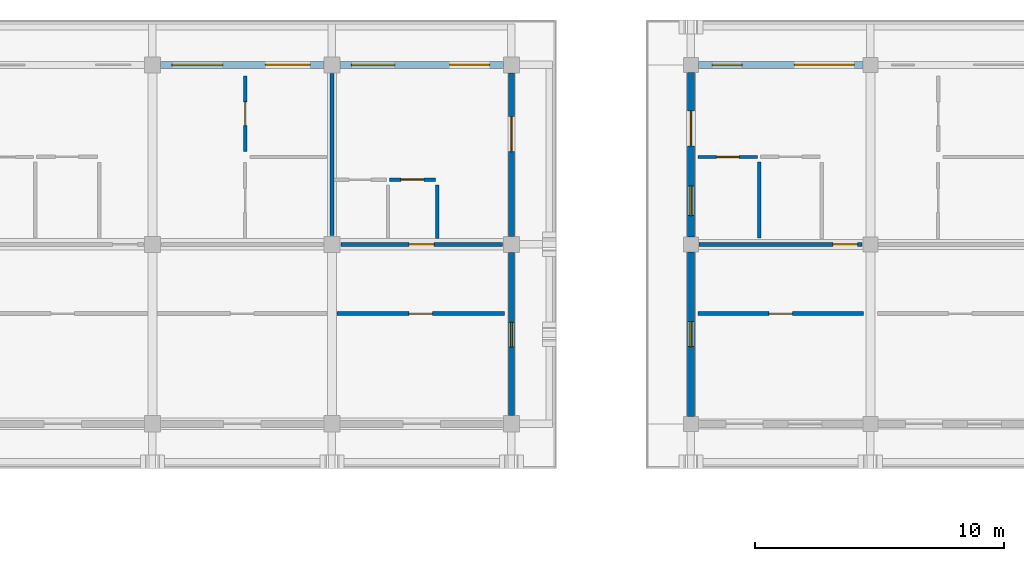
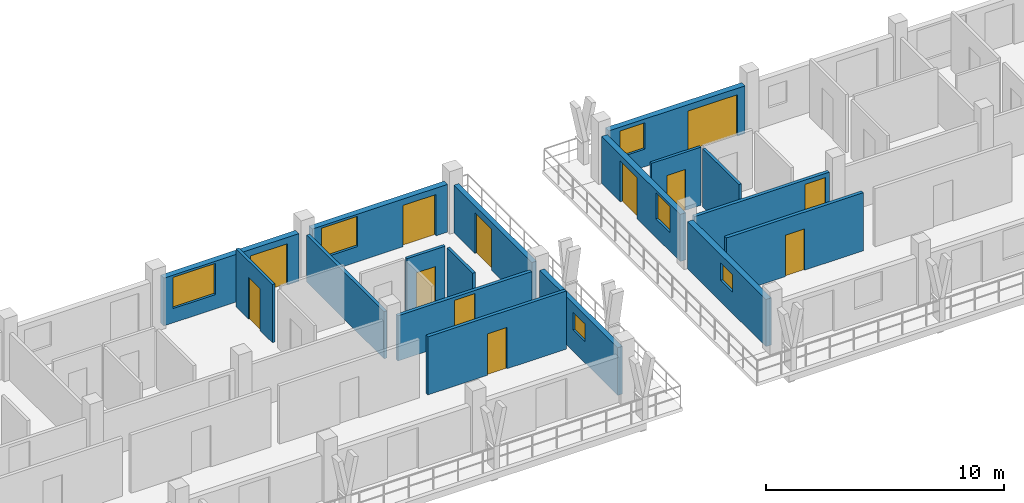
# One storey, part 50 of 76: 17 walls, 12 doors, 6 windows, 18 openings.
"""IFC4 building model written with IfcOpenShell, lengths in metres."""

from ifc_helpers import new_model, si_unit, direction, frame, frame_2d, origin, place, context, subcontext, project, spatial, rectangle, extrude, material, layer, layer_set, type_object, element, fill, save


model = new_model("IFC4")

# Units and contexts
model_context = context("Model", 3, precision=1e-05, world=origin(), true_north=direction((0.0, 1.0)))
body_context = subcontext(model_context, "Body", "Model", "MODEL_VIEW")
ifc_project = project(units=[si_unit("LENGTHUNIT", "METRE"), si_unit("AREAUNIT", "SQUARE_METRE"), si_unit("VOLUMEUNIT", "CUBIC_METRE"), si_unit("PLANEANGLEUNIT", "RADIAN"), si_unit("MASSUNIT", "GRAM", prefix="KILO")], contexts=[model_context])

# Site, building, storey
site_placement = place(None, origin())
site = spatial("IfcSite", under=ifc_project, at=site_placement, CompositionType="ELEMENT")
building_placement = place(site_placement, origin())
building = spatial("IfcBuilding", under=site, at=building_placement, Name="Suanplinth Sawtooth Commons", CompositionType="ELEMENT")
storey_placement = place(building_placement, frame((0.0, 0.0, 12.199951171875)))
storey = spatial("IfcBuildingStorey", under=building, at=storey_placement, Name="L03", CompositionType="ELEMENT", Elevation=12.199951171875)

# Wall, openings, door, window
ifc_material_1 = material(Name="Precast concrete C40/50", Category="concrete")
ifc_layer_1 = layer(ifc_material_1, 0.280029296875, Name="Insulated precast architectural facade wall 280mm")
ifc_layer_set_1 = layer_set([ifc_layer_1], Name="Precast concrete C40/50")
wall_type_1 = type_object("IfcWallType", Name="W-EX01", PredefinedType="ELEMENTEDWALL", material=ifc_layer_set_1)
wall_1_placement = place(storey_placement, frame((101.125, 122.39990234375, 0.0), z_axis=(0.0, 0.0, 1.0), x_axis=(1.0, 0.0, 0.0)))
wall_1 = element("IfcWall", 1, at=wall_1_placement, inside=storey, type_object=wall_type_1, Name="Facade Wall W-L03-A-N-14", PredefinedType="ELEMENTEDWALL", context=body_context, shape_type="SweptSolid", body=[
    extrude(rectangle(XDim=6.550048828125, YDim=0.280029296875, at=frame_2d((3.27490234375, 0.0))), origin(), (0.0, 0.0, 1.0), 2.445068359375),
])
opening_1_placement = place(wall_1_placement, frame((4.199951171875, 0.0, 0.0)))
opening_1 = element("IfcOpeningElement", 2, at=opening_1_placement, cuts=wall_1, Name="Opening ED0239", PredefinedType="OPENING", context=body_context, shape_type="SweptSolid", body=[
    extrude(rectangle(XDim=1.800048828125, YDim=2.1201171875, at=frame_2d((0.89990234375, 1.06005859375))), frame((0.0, 0.15478515625, 0.0), z_axis=(0.0, -1.0, 0.0), x_axis=(1.0, 0.0, 0.0)), (0.0, 0.0, 1.0), 0.309814453125),
])
opening_2_placement = place(wall_1_placement, frame((0.449951171875, 0.0, 0.735107421875)))
opening_2 = element("IfcOpeningElement", 3, at=opening_2_placement, cuts=wall_1, Name="Opening W0346", PredefinedType="OPENING", context=body_context, shape_type="SweptSolid", body=[
    extrude(rectangle(XDim=2.050048828125, YDim=1.60009765625, at=frame_2d((1.02490234375, 0.800048828125))), frame((0.0, 0.15478515625, 0.0), z_axis=(0.0, -1.0, 0.0), x_axis=(1.0, 0.0, 0.0)), (0.0, 0.0, 1.0), 0.309814453125),
])
ifc_material_2 = material(Name="Anodized aluminium and low-E glass", Category="aluminium")
door_type_1 = type_object("IfcDoorType", Name="SD-01", OperationType="SLIDING_TO_LEFT", PredefinedType="DOOR", material=ifc_material_2)
door_1_placement = place(opening_1_placement, frame((1.800048828125, 0.0, 0.0), z_axis=(0.0, 0.0, 1.0), x_axis=(-1.0, 0.0, 0.0)))
door_1 = element("IfcDoor", 4, at=door_1_placement, inside=storey, type_object=door_type_1, Name="Balcony Sliding Door L03-A-N-14", OperationType="SLIDING_TO_LEFT", OverallHeight=2.1201171875, OverallWidth=1.800048828125, PredefinedType="DOOR", context=body_context, shape_type="SweptSolid", body=[
    extrude(rectangle(XDim=1.800048828125, YDim=2.1201171875, at=frame_2d((0.89990234375, 1.06005859375))), frame((0.0, 0.02490234375, 0.0), z_axis=(0.0, -1.0, 0.0), x_axis=(1.0, 0.0, 0.0)), (0.0, 0.0, 1.0), 0.050048828125),
])
fill(opening_1, door_1)
ifc_material_3 = material(Name="Thermally broken aluminium and low-E double glazing", Category="aluminium")
window_type_1 = type_object("IfcWindowType", Name="WN-25", PartitioningType="DOUBLE_PANEL_VERTICAL", PredefinedType="WINDOW", material=ifc_material_3)
window_1_placement = place(opening_2_placement, origin())
window_1 = element("IfcWindow", 5, at=window_1_placement, inside=storey, type_object=window_type_1, Name="Window L03-A-N-14", OverallHeight=1.60009765625, OverallWidth=2.050048828125, PartitioningType="DOUBLE_PANEL_VERTICAL", PredefinedType="WINDOW", context=body_context, shape_type="SweptSolid", body=[
    extrude(rectangle(XDim=2.050048828125, YDim=1.60009765625, at=frame_2d((1.02490234375, 0.800048828125))), frame((0.0, 0.030029296875, 0.0), z_axis=(0.0, -1.0, 0.0), x_axis=(1.0, 0.0, 0.0)), (0.0, 0.0, 1.0), 0.06005859375),
])
fill(opening_2, window_1)

wall_2_placement = place(storey_placement, frame((108.324951171875, 122.39990234375, 0.0), z_axis=(0.0, 0.0, 1.0), x_axis=(1.0, 0.0, 0.0)))
wall_2 = element("IfcWall", 6, at=wall_2_placement, inside=storey, type_object=wall_type_1, Name="Facade Wall W-L03-A-N-15", PredefinedType="ELEMENTEDWALL", context=body_context, shape_type="SweptSolid", body=[
    extrude(rectangle(XDim=6.550048828125, YDim=0.280029296875, at=frame_2d((3.27490234375, 0.0))), origin(), (0.0, 0.0, 1.0), 2.445068359375),
])
opening_3_placement = place(wall_2_placement, frame((4.39990234375, 0.0, 0.0)))
opening_3 = element("IfcOpeningElement", 7, at=opening_3_placement, cuts=wall_2, Name="Opening ED0241", PredefinedType="OPENING", context=body_context, shape_type="SweptSolid", body=[
    extrude(rectangle(XDim=1.60009765625, YDim=2.1201171875, at=frame_2d((0.800048828125, 1.06005859375))), frame((0.0, 0.15478515625, 0.0), z_axis=(0.0, -1.0, 0.0), x_axis=(1.0, 0.0, 0.0)), (0.0, 0.0, 1.0), 0.309814453125),
])
opening_4_placement = place(wall_2_placement, frame((0.449951171875, 0.0, 0.784912109375)))
opening_4 = element("IfcOpeningElement", 8, at=opening_4_placement, cuts=wall_2, Name="Opening W0347", PredefinedType="OPENING", context=body_context, shape_type="SweptSolid", body=[
    extrude(rectangle(XDim=1.75, YDim=1.550048828125, at=frame_2d((0.875, 0.77490234375))), frame((0.0, 0.15478515625, 0.0), z_axis=(0.0, -1.0, 0.0), x_axis=(1.0, 0.0, 0.0)), (0.0, 0.0, 1.0), 0.309814453125),
])
door_type_2 = type_object("IfcDoorType", Name="SD-02", OperationType="SLIDING_TO_RIGHT", PredefinedType="DOOR", material=ifc_material_2)
door_2_placement = place(opening_3_placement, frame((1.60009765625, 0.0, 0.0), z_axis=(0.0, 0.0, 1.0), x_axis=(-1.0, 0.0, 0.0)))
door_2 = element("IfcDoor", 9, at=door_2_placement, inside=storey, type_object=door_type_2, Name="Balcony Sliding Door L03-A-N-15", OperationType="SLIDING_TO_RIGHT", OverallHeight=2.1201171875, OverallWidth=1.60009765625, PredefinedType="DOOR", context=body_context, shape_type="SweptSolid", body=[
    extrude(rectangle(XDim=1.60009765625, YDim=2.1201171875, at=frame_2d((0.800048828125, 1.06005859375))), frame((0.0, 0.02490234375, 0.0), z_axis=(0.0, -1.0, 0.0), x_axis=(1.0, 0.0, 0.0)), (0.0, 0.0, 1.0), 0.050048828125),
])
fill(opening_3, door_2)
window_type_2 = type_object("IfcWindowType", Name="WN-26", PartitioningType="DOUBLE_PANEL_VERTICAL", PredefinedType="WINDOW", material=ifc_material_3)
window_2_placement = place(opening_4_placement, origin())
window_2 = element("IfcWindow", 10, at=window_2_placement, inside=storey, type_object=window_type_2, Name="Window L03-A-N-15", OverallHeight=1.550048828125, OverallWidth=1.75, PartitioningType="DOUBLE_PANEL_VERTICAL", PredefinedType="WINDOW", context=body_context, shape_type="SweptSolid", body=[
    extrude(rectangle(XDim=1.75, YDim=1.550048828125, at=frame_2d((0.875, 0.77490234375))), frame((0.0, 0.030029296875, 0.0), z_axis=(0.0, -1.0, 0.0), x_axis=(1.0, 0.0, 0.0)), (0.0, 0.0, 1.0), 0.06005859375),
])
fill(opening_4, window_2)

# Wall, opening, window
wall_3_placement = place(storey_placement, frame((122.39990234375, 108.300048828125, 0.0), z_axis=(0.0, 0.0, 1.0), x_axis=(0.0, 1.0, 0.0)))
wall_3 = element("IfcWall", 11, at=wall_3_placement, inside=storey, type_object=wall_type_1, Name="Facade Wall W-L03-B-W-17-15", PredefinedType="ELEMENTEDWALL", context=body_context, shape_type="SweptSolid", body=[
    extrude(rectangle(XDim=6.599853515625, YDim=0.280029296875, at=frame_2d((3.2998046875, 0.0))), origin(), (0.0, 0.0, 1.0), 2.4150390625),
])
opening_5_placement = place(wall_3_placement, frame((2.800048828125, 0.0, 1.10009765625)))
opening_5 = element("IfcOpeningElement", 12, at=opening_5_placement, cuts=wall_3, Name="Opening W0351", PredefinedType="OPENING", context=body_context, shape_type="SweptSolid", body=[
    extrude(rectangle(XDim=1.0, YDim=0.89990234375, at=frame_2d((0.5, 0.449951171875))), frame((0.0, 0.15478515625, 0.0), z_axis=(0.0, -1.0, 0.0), x_axis=(1.0, 0.0, 0.0)), (0.0, 0.0, 1.0), 0.309814453125),
])
window_type_3 = type_object("IfcWindowType", Name="WN-12", PartitioningType="SINGLE_PANEL", PredefinedType="WINDOW", material=ifc_material_3)
window_3_placement = place(opening_5_placement, origin())
window_3 = element("IfcWindow", 13, at=window_3_placement, inside=storey, type_object=window_type_3, Name="End Window L03-B-W-17-15", OverallHeight=0.89990234375, OverallWidth=1.0, PartitioningType="SINGLE_PANEL", PredefinedType="WINDOW", context=body_context, shape_type="SweptSolid", body=[
    extrude(rectangle(XDim=1.0, YDim=0.89990234375, at=frame_2d((0.5, 0.449951171875))), frame((0.0, 0.030029296875, 0.0), z_axis=(0.0, -1.0, 0.0), x_axis=(1.0, 0.0, 0.0)), (0.0, 0.0, 1.0), 0.06005859375),
])
fill(opening_5, window_3)

# Wall, openings, door, window
wall_4_placement = place(storey_placement, frame((122.699951171875, 122.39990234375, 0.0), z_axis=(0.0, 0.0, 1.0), x_axis=(1.0, 0.0, 0.0)))
wall_4 = element("IfcWall", 14, at=wall_4_placement, inside=storey, type_object=wall_type_1, Name="Facade Wall W-L03-B-N-17-16", PredefinedType="ELEMENTEDWALL", context=body_context, shape_type="SweptSolid", body=[
    extrude(rectangle(XDim=6.60009765625, YDim=0.280029296875, at=frame_2d((3.300048828125, 0.0))), origin(), (0.0, 0.0, 1.0), 2.445068359375),
])
opening_6_placement = place(wall_4_placement, frame((3.85009765625, 0.0, 0.0)))
opening_6 = element("IfcOpeningElement", 15, at=opening_6_placement, cuts=wall_4, Name="Opening ED0246", PredefinedType="OPENING", context=body_context, shape_type="SweptSolid", body=[
    extrude(rectangle(XDim=2.39990234375, YDim=2.1201171875, at=frame_2d((1.199951171875, 1.06005859375))), frame((0.0, 0.15478515625, 0.0), z_axis=(0.0, -1.0, 0.0), x_axis=(1.0, 0.0, 0.0)), (0.0, 0.0, 1.0), 0.309814453125),
])
opening_7_placement = place(wall_4_placement, frame((0.550048828125, 0.0, 0.89990234375)))
opening_7 = element("IfcOpeningElement", 16, at=opening_7_placement, cuts=wall_4, Name="Opening W0352", PredefinedType="OPENING", context=body_context, shape_type="SweptSolid", body=[
    extrude(rectangle(XDim=1.199951171875, YDim=1.35009765625, at=frame_2d((0.60009765625, 0.675048828125))), frame((0.0, 0.15478515625, 0.0), z_axis=(0.0, -1.0, 0.0), x_axis=(1.0, 0.0, 0.0)), (0.0, 0.0, 1.0), 0.309814453125),
])
door_type_3 = type_object("IfcDoorType", Name="SD-04", OperationType="DOUBLE_DOOR_SLIDING", PredefinedType="DOOR", material=ifc_material_2)
door_3_placement = place(opening_6_placement, frame((2.39990234375, 0.0, 0.0), z_axis=(0.0, 0.0, 1.0), x_axis=(-1.0, 0.0, 0.0)))
door_3 = element("IfcDoor", 17, at=door_3_placement, inside=storey, type_object=door_type_3, Name="Balcony Sliding Door L03-B-17", OperationType="DOUBLE_DOOR_SLIDING", OverallHeight=2.1201171875, OverallWidth=2.39990234375, PredefinedType="DOOR", context=body_context, shape_type="SweptSolid", body=[
    extrude(rectangle(XDim=2.39990234375, YDim=2.1201171875, at=frame_2d((1.199951171875, 1.06005859375))), frame((0.0, 0.02490234375, 0.0), z_axis=(0.0, -1.0, 0.0), x_axis=(1.0, 0.0, 0.0)), (0.0, 0.0, 1.0), 0.050048828125),
])
fill(opening_6, door_3)
window_type_4 = type_object("IfcWindowType", Name="WN-03", PartitioningType="SINGLE_PANEL", PredefinedType="WINDOW", material=ifc_material_3)
window_4_placement = place(opening_7_placement, origin())
window_4 = element("IfcWindow", 18, at=window_4_placement, inside=storey, type_object=window_type_4, Name="Apartment Window L03-B-17", OverallHeight=1.35009765625, OverallWidth=1.199951171875, PartitioningType="SINGLE_PANEL", PredefinedType="WINDOW", context=body_context, shape_type="SweptSolid", body=[
    extrude(rectangle(XDim=1.199951171875, YDim=1.35009765625, at=frame_2d((0.60009765625, 0.675048828125))), frame((0.0, 0.030029296875, 0.0), z_axis=(0.0, -1.0, 0.0), x_axis=(1.0, 0.0, 0.0)), (0.0, 0.0, 1.0), 0.06005859375),
])
fill(opening_7, window_4)

wall_5_placement = place(storey_placement, frame((122.39990234375, 115.5, 0.0), z_axis=(0.0, 0.0, 1.0), x_axis=(0.0, 1.0, 0.0)))
wall_5 = element("IfcWall", 19, at=wall_5_placement, inside=storey, type_object=wall_type_1, Name="Facade Wall W-L03-B-W-17-16", PredefinedType="ELEMENTEDWALL", context=body_context, shape_type="SweptSolid", body=[
    extrude(rectangle(XDim=6.60009765625, YDim=0.280029296875, at=frame_2d((3.300048828125, 0.0))), origin(), (0.0, 0.0, 1.0), 2.4150390625),
])
opening_8_placement = place(wall_5_placement, frame((3.64990234375, 0.0, 0.0)))
opening_8 = element("IfcOpeningElement", 20, at=opening_8_placement, cuts=wall_5, Name="Opening ED0247", PredefinedType="OPENING", context=body_context, shape_type="SweptSolid", body=[
    extrude(rectangle(XDim=1.39990234375, YDim=2.10009765625, at=frame_2d((0.699951171875, 1.050048828125))), frame((0.0, 0.15478515625, 0.0), z_axis=(0.0, -1.0, 0.0), x_axis=(1.0, 0.0, 0.0)), (0.0, 0.0, 1.0), 0.309814453125),
])
opening_9_placement = place(wall_5_placement, frame((0.85009765625, 0.0, 0.949951171875)))
opening_9 = element("IfcOpeningElement", 21, at=opening_9_placement, cuts=wall_5, Name="Opening W0353", PredefinedType="OPENING", context=body_context, shape_type="SweptSolid", body=[
    extrude(rectangle(XDim=1.199951171875, YDim=1.35009765625, at=frame_2d((0.60009765625, 0.675048828125))), frame((0.0, 0.15478515625, 0.0), z_axis=(0.0, -1.0, 0.0), x_axis=(1.0, 0.0, 0.0)), (0.0, 0.0, 1.0), 0.309814453125),
])
door_type_4 = type_object("IfcDoorType", Name="SD-07", OperationType="SLIDING_TO_RIGHT", PredefinedType="DOOR", material=ifc_material_2)
door_4_placement = place(opening_8_placement, frame((1.39990234375, 0.0, 0.0), z_axis=(0.0, 0.0, 1.0), x_axis=(-1.0, 0.0, 0.0)))
door_4 = element("IfcDoor", 22, at=door_4_placement, inside=storey, type_object=door_type_4, Name="End Balcony Sliding Door L03-B-W-17-16", OperationType="SLIDING_TO_RIGHT", OverallHeight=2.10009765625, OverallWidth=1.39990234375, PredefinedType="DOOR", context=body_context, shape_type="SweptSolid", body=[
    extrude(rectangle(XDim=1.39990234375, YDim=2.10009765625, at=frame_2d((0.699951171875, 1.050048828125))), frame((0.0, 0.02490234375, 0.0), z_axis=(0.0, -1.0, 0.0), x_axis=(1.0, 0.0, 0.0)), (0.0, 0.0, 1.0), 0.050048828125),
])
fill(opening_8, door_4)
window_5_placement = place(opening_9_placement, origin())
window_5 = element("IfcWindow", 23, at=window_5_placement, inside=storey, type_object=window_type_4, Name="End Bedroom Window L03-B-17-16", OverallHeight=1.35009765625, OverallWidth=1.199951171875, PartitioningType="SINGLE_PANEL", PredefinedType="WINDOW", context=body_context, shape_type="SweptSolid", body=[
    extrude(rectangle(XDim=1.199951171875, YDim=1.35009765625, at=frame_2d((0.60009765625, 0.675048828125))), frame((0.0, 0.030029296875, 0.0), z_axis=(0.0, -1.0, 0.0), x_axis=(1.0, 0.0, 0.0)), (0.0, 0.0, 1.0), 0.06005859375),
])
fill(opening_9, window_5)

# Wall, opening, window
ifc_layer_2 = layer(ifc_material_1, 0.22998046875, Name="Stepped terrace insulated precast wall 230mm")
ifc_layer_set_2 = layer_set([ifc_layer_2], Name="Precast concrete C40/50")
wall_type_2 = type_object("IfcWallType", Name="W-EX06", PredefinedType="ELEMENTEDWALL", material=ifc_layer_set_2)
wall_6_placement = place(storey_placement, frame((115.199951171875, 108.324951171875, 0.0), z_axis=(0.0, 0.0, 1.0), x_axis=(0.0, 1.0, 0.0)))
wall_6 = element("IfcWall", 24, at=wall_6_placement, inside=storey, type_object=wall_type_2, Name="End Wall W-L03-A-E-15", PredefinedType="ELEMENTEDWALL", context=body_context, shape_type="SweptSolid", body=[
    extrude(rectangle(XDim=6.550048828125, YDim=0.22998046875, at=frame_2d((3.27490234375, 0.0))), origin(), (0.0, 0.0, 1.0), 2.445068359375),
])
opening_10_placement = place(wall_6_placement, frame((2.75, 0.0, 1.10009765625)))
opening_10 = element("IfcOpeningElement", 25, at=opening_10_placement, cuts=wall_6, Name="Opening W0349", PredefinedType="OPENING", context=body_context, shape_type="SweptSolid", body=[
    extrude(rectangle(XDim=1.0, YDim=0.89990234375, at=frame_2d((0.5, 0.449951171875))), frame((0.0, 0.1298828125, 0.0), z_axis=(0.0, -1.0, 0.0), x_axis=(1.0, 0.0, 0.0)), (0.0, 0.0, 1.0), 0.259765625),
])
window_6_placement = place(opening_10_placement, origin())
window_6 = element("IfcWindow", 26, at=window_6_placement, inside=storey, type_object=window_type_3, Name="End Window L03-A-E-15", OverallHeight=0.89990234375, OverallWidth=1.0, PartitioningType="SINGLE_PANEL", PredefinedType="WINDOW", context=body_context, shape_type="SweptSolid", body=[
    extrude(rectangle(XDim=1.0, YDim=0.89990234375, at=frame_2d((0.5, 0.449951171875))), frame((0.0, 0.030029296875, 0.0), z_axis=(0.0, -1.0, 0.0), x_axis=(1.0, 0.0, 0.0)), (0.0, 0.0, 1.0), 0.06005859375),
])
fill(opening_10, window_6)

# Wall, opening, door
wall_7_placement = place(storey_placement, frame((115.199951171875, 115.52490234375, 0.0), z_axis=(0.0, 0.0, 1.0), x_axis=(0.0, 1.0, 0.0)))
wall_7 = element("IfcWall", 27, at=wall_7_placement, inside=storey, type_object=wall_type_2, Name="End Wall W-L03-A-E-16", PredefinedType="ELEMENTEDWALL", context=body_context, shape_type="SweptSolid", body=[
    extrude(rectangle(XDim=6.550048828125, YDim=0.22998046875, at=frame_2d((3.27490234375, 0.0))), origin(), (0.0, 0.0, 1.0), 2.445068359375),
])
opening_11_placement = place(wall_7_placement, frame((3.39990234375, 0.0, 0.0)))
opening_11 = element("IfcOpeningElement", 28, at=opening_11_placement, cuts=wall_7, Name="Opening ED0244", PredefinedType="OPENING", context=body_context, shape_type="SweptSolid", body=[
    extrude(rectangle(XDim=1.39990234375, YDim=2.10009765625, at=frame_2d((0.699951171875, 1.050048828125))), frame((0.0, 0.1298828125, 0.0), z_axis=(0.0, -1.0, 0.0), x_axis=(1.0, 0.0, 0.0)), (0.0, 0.0, 1.0), 0.259765625),
])
door_5_placement = place(opening_11_placement, frame((1.39990234375, 0.0, 0.0), z_axis=(0.0, 0.0, 1.0), x_axis=(-1.0, 0.0, 0.0)))
door_5 = element("IfcDoor", 29, at=door_5_placement, inside=storey, type_object=door_type_4, Name="L03 Block A E End Balcony Door", OperationType="SLIDING_TO_RIGHT", OverallHeight=2.10009765625, OverallWidth=1.39990234375, PredefinedType="DOOR", context=body_context, shape_type="SweptSolid", body=[
    extrude(rectangle(XDim=1.39990234375, YDim=2.10009765625, at=frame_2d((0.699951171875, 1.050048828125))), frame((0.0, 0.02490234375, 0.0), z_axis=(0.0, -1.0, 0.0), x_axis=(1.0, 0.0, 0.0)), (0.0, 0.0, 1.0), 0.050048828125),
])
fill(opening_11, door_5)

ifc_layer_3 = layer(ifc_material_1, 0.159912109375, Name="Fire-rated corridor and lobby wall 160mm")
ifc_layer_set_3 = layer_set([ifc_layer_3], Name="Precast concrete C40/50")
wall_type_3 = type_object("IfcWallType", Name="W-FW01", PredefinedType="PARTITIONING", material=ifc_layer_set_3)
wall_8_placement = place(storey_placement, frame((108.35498046875, 115.199951171875, 0.0), z_axis=(0.0, 0.0, 1.0), x_axis=(1.0, 0.0, 0.0)))
wall_8 = element("IfcWall", 30, at=wall_8_placement, inside=storey, type_object=wall_type_3, Name="W-A-L03-U12-COR", PredefinedType="PARTITIONING", context=body_context, shape_type="SweptSolid", body=[
    extrude(rectangle(XDim=6.489990234375, YDim=0.159912109375, at=frame_2d((3.2451171875, 0.0))), origin(), (0.0, 0.0, 1.0), 2.31494140625),
])
opening_12_placement = place(wall_8_placement, frame((2.7451171875, 0.0, 0.0)))
opening_12 = element("IfcOpeningElement", 31, at=opening_12_placement, cuts=wall_8, Name="Opening FD0907", PredefinedType="OPENING", context=body_context, shape_type="SweptSolid", body=[
    extrude(rectangle(XDim=1.0, YDim=2.14990234375, at=frame_2d((0.5, 1.074951171875))), frame((0.0, 0.0947265625, 0.0), z_axis=(0.0, -1.0, 0.0), x_axis=(1.0, 0.0, 0.0)), (0.0, 0.0, 1.0), 0.189697265625),
])
ifc_material_4 = material(Name="Teak hardwood fire-rated door assembly", Category="wood")
door_type_5 = type_object("IfcDoorType", Name="FD-03", OperationType="NOTDEFINED", PredefinedType="DOOR", material=ifc_material_4)
door_6_placement = place(opening_12_placement, origin())
door_6 = element("IfcDoor", 32, at=door_6_placement, inside=storey, type_object=door_type_5, Name="Unit Entrance Door FD0907", OperationType="SINGLE_SWING_LEFT", OverallHeight=2.14990234375, OverallWidth=1.0, PredefinedType="DOOR", context=body_context, shape_type="SweptSolid", body=[
    extrude(rectangle(XDim=1.0, YDim=2.14990234375, at=frame_2d((0.5, 1.074951171875))), frame((0.0, 0.02490234375, 0.0), z_axis=(0.0, -1.0, 0.0), x_axis=(1.0, 0.0, 0.0)), (0.0, 0.0, 1.0), 0.050048828125),
])
fill(opening_12, door_6)

wall_9_placement = place(storey_placement, frame((108.199951171875, 112.419921875, 0.0), z_axis=(0.0, 0.0, 1.0), x_axis=(1.0, 0.0, 0.0)))
wall_9 = element("IfcWall", 33, at=wall_9_placement, inside=storey, type_object=wall_type_3, Name="W-A-L03-COURTROOM-23-COR", PredefinedType="PARTITIONING", context=body_context, shape_type="SweptSolid", body=[
    extrude(rectangle(XDim=6.719970703125, YDim=0.159912109375, at=frame_2d((3.35986328125, 0.0))), origin(), (0.0, 0.0, 1.0), 2.97998046875),
])
opening_13_placement = place(wall_9_placement, frame((2.889892578125, 0.0, 0.0)))
opening_13 = element("IfcOpeningElement", 34, at=opening_13_placement, cuts=wall_9, Name="Opening D0921", PredefinedType="OPENING", context=body_context, shape_type="SweptSolid", body=[
    extrude(rectangle(XDim=0.93994140625, YDim=2.1201171875, at=frame_2d((0.469970703125, 1.06005859375))), frame((0.0, 0.0947265625, 0.0), z_axis=(0.0, -1.0, 0.0), x_axis=(1.0, 0.0, 0.0)), (0.0, 0.0, 1.0), 0.189697265625),
])
ifc_material_5 = material(Name="Teak hardwood", Category="wood")
door_type_6 = type_object("IfcDoorType", Name="D-15", OperationType="NOTDEFINED", PredefinedType="DOOR", material=ifc_material_5)
door_7_placement = place(opening_13_placement, frame((0.93994140625, 0.0, 0.0), z_axis=(0.0, 0.0, 1.0), x_axis=(-1.0, 0.0, 0.0)))
door_7 = element("IfcDoor", 35, at=door_7_placement, inside=storey, type_object=door_type_6, Name="Study Studio Door D0921", OperationType="SINGLE_SWING_LEFT", OverallHeight=2.1201171875, OverallWidth=0.93994140625, PredefinedType="DOOR", context=body_context, shape_type="SweptSolid", body=[
    extrude(rectangle(XDim=0.93994140625, YDim=2.1201171875, at=frame_2d((0.469970703125, 1.06005859375))), frame((0.0, 0.02490234375, 0.0), z_axis=(0.0, -1.0, 0.0), x_axis=(1.0, 0.0, 0.0)), (0.0, 0.0, 1.0), 0.050048828125),
])
fill(opening_13, door_7)

wall_10_placement = place(storey_placement, frame((122.72998046875, 115.199951171875, 0.0), z_axis=(0.0, 0.0, 1.0), x_axis=(1.0, 0.0, 0.0)))
wall_10 = element("IfcWall", 36, at=wall_10_placement, inside=storey, type_object=wall_type_3, Name="W-B-L03-U01-COR-S1", PredefinedType="PARTITIONING", context=body_context, shape_type="SweptSolid", body=[
    extrude(rectangle(XDim=6.5400390625, YDim=0.159912109375, at=frame_2d((3.27001953125, 0.0))), origin(), (0.0, 0.0, 1.0), 2.364990234375),
])
opening_14_placement = place(wall_10_placement, frame((5.360107421875, 0.0, 0.0)))
opening_14 = element("IfcOpeningElement", 37, at=opening_14_placement, cuts=wall_10, Name="Opening FD0922", PredefinedType="OPENING", context=body_context, shape_type="SweptSolid", body=[
    extrude(rectangle(XDim=1.0, YDim=2.14990234375, at=frame_2d((0.5, 1.074951171875))), frame((0.0, 0.0947265625, 0.0), z_axis=(0.0, -1.0, 0.0), x_axis=(1.0, 0.0, 0.0)), (0.0, 0.0, 1.0), 0.189697265625),
])
door_8_placement = place(opening_14_placement, origin())
door_8 = element("IfcDoor", 38, at=door_8_placement, inside=storey, type_object=door_type_5, Name="Unit Entrance Door FD0922", OperationType="SINGLE_SWING_RIGHT", OverallHeight=2.14990234375, OverallWidth=1.0, PredefinedType="DOOR", context=body_context, shape_type="SweptSolid", body=[
    extrude(rectangle(XDim=1.0, YDim=2.14990234375, at=frame_2d((0.5, 1.074951171875))), frame((0.0, 0.02490234375, 0.0), z_axis=(0.0, -1.0, 0.0), x_axis=(1.0, 0.0, 0.0)), (0.0, 0.0, 1.0), 0.050048828125),
])
fill(opening_14, door_8)

wall_11_placement = place(storey_placement, frame((122.679931640625, 112.419921875, 0.0), z_axis=(0.0, 0.0, 1.0), x_axis=(1.0, 0.0, 0.0)))
wall_11 = element("IfcWall", 39, at=wall_11_placement, inside=storey, type_object=wall_type_3, Name="W-B-L03-COURTROOM-30-COR", PredefinedType="PARTITIONING", context=body_context, shape_type="SweptSolid", body=[
    extrude(rectangle(XDim=6.64013671875, YDim=0.159912109375, at=frame_2d((3.320068359375, 0.0))), origin(), (0.0, 0.0, 1.0), 2.97998046875),
])
opening_15_placement = place(wall_11_placement, frame((2.85009765625, 0.0, 0.0)))
opening_15 = element("IfcOpeningElement", 40, at=opening_15_placement, cuts=wall_11, Name="Opening D0946", PredefinedType="OPENING", context=body_context, shape_type="SweptSolid", body=[
    extrude(rectangle(XDim=0.93994140625, YDim=2.1201171875, at=frame_2d((0.469970703125, 1.06005859375))), frame((0.0, 0.0947265625, 0.0), z_axis=(0.0, -1.0, 0.0), x_axis=(1.0, 0.0, 0.0)), (0.0, 0.0, 1.0), 0.189697265625),
])
door_9_placement = place(opening_15_placement, frame((0.93994140625, 0.0, 0.0), z_axis=(0.0, 0.0, 1.0), x_axis=(-1.0, 0.0, 0.0)))
door_9 = element("IfcDoor", 41, at=door_9_placement, inside=storey, type_object=door_type_6, Name="Study Studio Door D0946", OperationType="SINGLE_SWING_RIGHT", OverallHeight=2.1201171875, OverallWidth=0.93994140625, PredefinedType="DOOR", context=body_context, shape_type="SweptSolid", body=[
    extrude(rectangle(XDim=0.93994140625, YDim=2.1201171875, at=frame_2d((0.469970703125, 1.06005859375))), frame((0.0, 0.02490234375, 0.0), z_axis=(0.0, -1.0, 0.0), x_axis=(1.0, 0.0, 0.0)), (0.0, 0.0, 1.0), 0.050048828125),
])
fill(opening_15, door_9)

# Wall
ifc_layer_4 = layer(ifc_material_1, 0.14990234375, Name="Acoustic precast party demising wall 150mm")
ifc_layer_set_4 = layer_set([ifc_layer_4], Name="Precast concrete C40/50")
wall_type_4 = type_object("IfcWallType", Name="W-FW02", PredefinedType="PARTITIONING", material=ifc_layer_set_4)
wall_12_placement = place(storey_placement, frame((108.0, 115.554931640625, 0.0), z_axis=(0.0, 0.0, 1.0), x_axis=(0.0, 1.0, 0.0)))
element("IfcWall", 42, at=wall_12_placement, inside=storey, type_object=wall_type_4, Name="W-A-L03-U11-PTY", PredefinedType="PARTITIONING", context=body_context, shape_type="SweptSolid", body=[
    extrude(rectangle(XDim=6.489990234375, YDim=0.14990234375, at=frame_2d((3.2451171875, 0.0))), origin(), (0.0, 0.0, 1.0), 2.4150390625),
])

# Wall, opening, door
ifc_material_6 = material(Name="Gypsum plasterboard on steel stud", Category="steel")
ifc_layer_5 = layer(ifc_material_6, 0.139892578125, Name="Fire-rated kitchen partition 140mm")
ifc_layer_set_5 = layer_set([ifc_layer_5], Name="Gypsum plasterboard on steel stud")
wall_type_5 = type_object("IfcWallType", Name="W-PT01", PredefinedType="PARTITIONING", material=ifc_layer_set_5)
wall_13_placement = place(storey_placement, frame((110.300048828125, 117.800048828125, 0.0), z_axis=(0.0, 0.0, 1.0), x_axis=(1.0, 0.0, 0.0)))
wall_13 = element("IfcWall", 43, at=wall_13_placement, inside=storey, type_object=wall_type_5, Name="W-A-L03-U12-KIT1", PredefinedType="PARTITIONING", context=body_context, shape_type="SweptSolid", body=[
    extrude(rectangle(XDim=1.849853515625, YDim=0.139892578125, at=frame_2d((0.9248046875, 0.0))), origin(), (0.0, 0.0, 1.0), 2.97998046875),
])
opening_16_placement = place(wall_13_placement, frame((0.465087890625, 0.0, 0.0)))
opening_16 = element("IfcOpeningElement", 44, at=opening_16_placement, cuts=wall_13, Name="Opening D0909", PredefinedType="OPENING", context=body_context, shape_type="SweptSolid", body=[
    extrude(rectangle(XDim=0.919921875, YDim=2.10009765625, at=frame_2d((0.4599609375, 1.050048828125))), frame((0.0, 0.0849609375, 0.0), z_axis=(0.0, -1.0, 0.0), x_axis=(1.0, 0.0, 0.0)), (0.0, 0.0, 1.0), 0.169677734375),
])
door_type_7 = type_object("IfcDoorType", Name="D-02", OperationType="NOTDEFINED", PredefinedType="DOOR", material=ifc_material_5)
door_10_placement = place(opening_16_placement, frame((0.919921875, 0.0, 0.0), z_axis=(0.0, 0.0, 1.0), x_axis=(-1.0, 0.0, 0.0)))
door_10 = element("IfcDoor", 45, at=door_10_placement, inside=storey, type_object=door_type_7, Name="Kitchen Door D0909", OperationType="SINGLE_SWING_LEFT", OverallHeight=2.10009765625, OverallWidth=0.919921875, PredefinedType="DOOR", context=body_context, shape_type="SweptSolid", body=[
    extrude(rectangle(XDim=0.919921875, YDim=2.10009765625, at=frame_2d((0.4599609375, 1.050048828125))), frame((0.0, 0.02490234375, 0.0), z_axis=(0.0, -1.0, 0.0), x_axis=(1.0, 0.0, 0.0)), (0.0, 0.0, 1.0), 0.050048828125),
])
fill(opening_16, door_10)

# Wall
wall_14_placement = place(storey_placement, frame((112.219970703125, 115.429931640625, 0.0), z_axis=(0.0, 0.0, 1.0), x_axis=(0.0, 1.0, 0.0)))
element("IfcWall", 46, at=wall_14_placement, inside=storey, type_object=wall_type_5, Name="W-A-L03-U12-KIT2", PredefinedType="PARTITIONING", context=body_context, shape_type="SweptSolid", body=[
    extrude(rectangle(XDim=2.150146484375, YDim=0.139892578125, at=frame_2d((1.0751953125, 0.0))), origin(), (0.0, 0.0, 1.0), 2.97998046875),
])

# Wall, opening, door
ifc_layer_6 = layer(ifc_material_6, 0.1298828125, Name="Moisture-resistant bathroom partition 130mm")
ifc_layer_set_6 = layer_set([ifc_layer_6], Name="Gypsum plasterboard on steel stud")
wall_type_6 = type_object("IfcWallType", Name="W-PT02", PredefinedType="PARTITIONING", material=ifc_layer_set_6)
wall_15_placement = place(storey_placement, frame((122.679931640625, 118.705078125, 0.0), z_axis=(0.0, 0.0, 1.0), x_axis=(1.0, 0.0, 0.0)))
wall_15 = element("IfcWall", 47, at=wall_15_placement, inside=storey, type_object=wall_type_6, Name="W-B-L03-U01-BTH1", PredefinedType="PARTITIONING", context=body_context, shape_type="SweptSolid", body=[
    extrude(rectangle(XDim=2.400146484375, YDim=0.1298828125, at=frame_2d((1.2001953125, 0.0))), origin(), (0.0, 0.0, 1.0), 2.97998046875),
])
opening_17_placement = place(wall_15_placement, frame((0.75, 0.0, 0.0)))
opening_17 = element("IfcOpeningElement", 48, at=opening_17_placement, cuts=wall_15, Name="Opening D0923", PredefinedType="OPENING", context=body_context, shape_type="SweptSolid", body=[
    extrude(rectangle(XDim=0.89990234375, YDim=2.10009765625, at=frame_2d((0.449951171875, 1.050048828125))), frame((0.0, 0.079833984375, 0.0), z_axis=(0.0, -1.0, 0.0), x_axis=(1.0, 0.0, 0.0)), (0.0, 0.0, 1.0), 0.15966796875),
])
door_type_8 = type_object("IfcDoorType", Name="D-01", OperationType="NOTDEFINED", PredefinedType="DOOR", material=ifc_material_5)
door_11_placement = place(opening_17_placement, frame((0.89990234375, 0.0, 0.0), z_axis=(0.0, 0.0, 1.0), x_axis=(-1.0, 0.0, 0.0)))
door_11 = element("IfcDoor", 49, at=door_11_placement, inside=storey, type_object=door_type_8, Name="Bathroom Door D0923", OperationType="SINGLE_SWING_LEFT", OverallHeight=2.10009765625, OverallWidth=0.89990234375, PredefinedType="DOOR", context=body_context, shape_type="SweptSolid", body=[
    extrude(rectangle(XDim=0.89990234375, YDim=2.10009765625, at=frame_2d((0.449951171875, 1.050048828125))), frame((0.0, 0.02490234375, 0.0), z_axis=(0.0, -1.0, 0.0), x_axis=(1.0, 0.0, 0.0)), (0.0, 0.0, 1.0), 0.050048828125),
])
fill(opening_17, door_11)

# Wall
wall_16_placement = place(storey_placement, frame((125.14501953125, 115.4599609375, 0.0), z_axis=(0.0, 0.0, 1.0), x_axis=(0.0, 1.0, 0.0)))
element("IfcWall", 50, at=wall_16_placement, inside=storey, type_object=wall_type_6, Name="W-B-L03-U01-BTH2", PredefinedType="PARTITIONING", context=body_context, shape_type="SweptSolid", body=[
    extrude(rectangle(XDim=3.0400390625, YDim=0.1298828125, at=frame_2d((1.52001953125, 0.0))), origin(), (0.0, 0.0, 1.0), 2.97998046875),
])

# Wall, opening, door
ifc_layer_7 = layer(ifc_material_6, 0.135009765625, Name="Insulated bedroom demising partition 135mm")
ifc_layer_set_7 = layer_set([ifc_layer_7], Name="Gypsum plasterboard on steel stud")
wall_type_7 = type_object("IfcWallType", Name="W-PT07", PredefinedType="PARTITIONING", material=ifc_layer_set_7)
wall_17_placement = place(storey_placement, frame((104.52001953125, 118.919921875, 0.0), z_axis=(0.0, 0.0, 1.0), x_axis=(0.0, 1.0, 0.0)))
wall_17 = element("IfcWall", 51, at=wall_17_placement, inside=storey, type_object=wall_type_7, Name="W-A-L03-U11-BED1", PredefinedType="PARTITIONING", context=body_context, shape_type="SweptSolid", body=[
    extrude(rectangle(XDim=3.0400390625, YDim=0.135009765625, at=frame_2d((1.52001953125, 0.0))), origin(), (0.0, 0.0, 1.0), 2.97998046875),
])
opening_18_placement = place(wall_17_placement, frame((1.044921875, 0.0, 0.0)))
opening_18 = element("IfcOpeningElement", 52, at=opening_18_placement, cuts=wall_17, Name="Opening D0905", PredefinedType="OPENING", context=body_context, shape_type="SweptSolid", body=[
    extrude(rectangle(XDim=0.949951171875, YDim=2.14990234375, at=frame_2d((0.47509765625, 1.074951171875))), frame((0.0, 0.08251953125, 0.0), z_axis=(0.0, -1.0, 0.0), x_axis=(1.0, 0.0, 0.0)), (0.0, 0.0, 1.0), 0.164794921875),
])
door_type_9 = type_object("IfcDoorType", Name="D-03", OperationType="NOTDEFINED", PredefinedType="DOOR", material=ifc_material_5)
door_12_placement = place(opening_18_placement, frame((0.949951171875, 0.0, 0.0), z_axis=(0.0, 0.0, 1.0), x_axis=(-1.0, 0.0, 0.0)))
door_12 = element("IfcDoor", 53, at=door_12_placement, inside=storey, type_object=door_type_9, Name="Bedroom Door D0905", OperationType="SINGLE_SWING_LEFT", OverallHeight=2.14990234375, OverallWidth=0.949951171875, PredefinedType="DOOR", context=body_context, shape_type="SweptSolid", body=[
    extrude(rectangle(XDim=0.949951171875, YDim=2.14990234375, at=frame_2d((0.47509765625, 1.074951171875))), frame((0.0, 0.02490234375, 0.0), z_axis=(0.0, -1.0, 0.0), x_axis=(1.0, 0.0, 0.0)), (0.0, 0.0, 1.0), 0.050048828125),
])
fill(opening_18, door_12)

save(model, "model.ifc")
